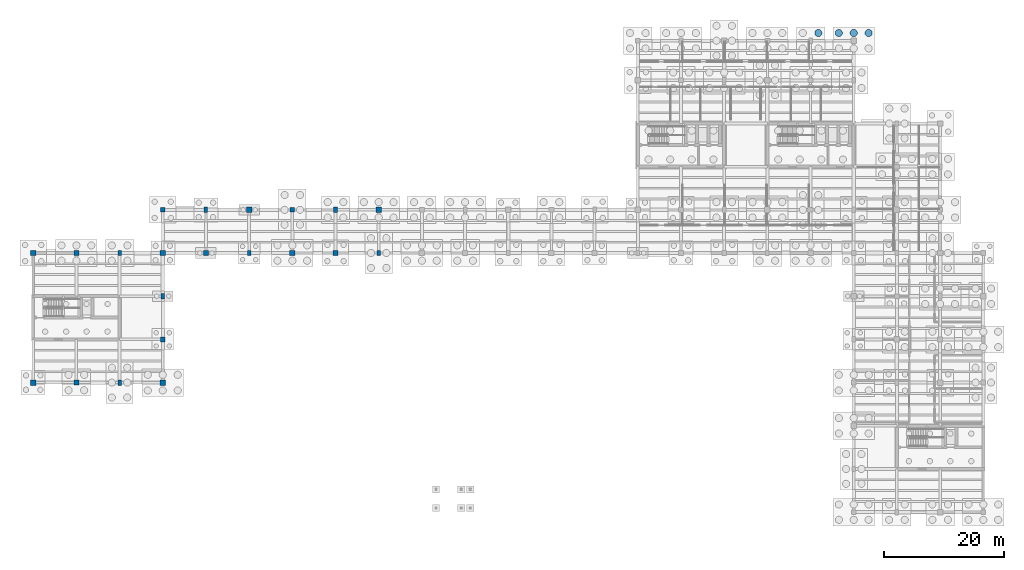
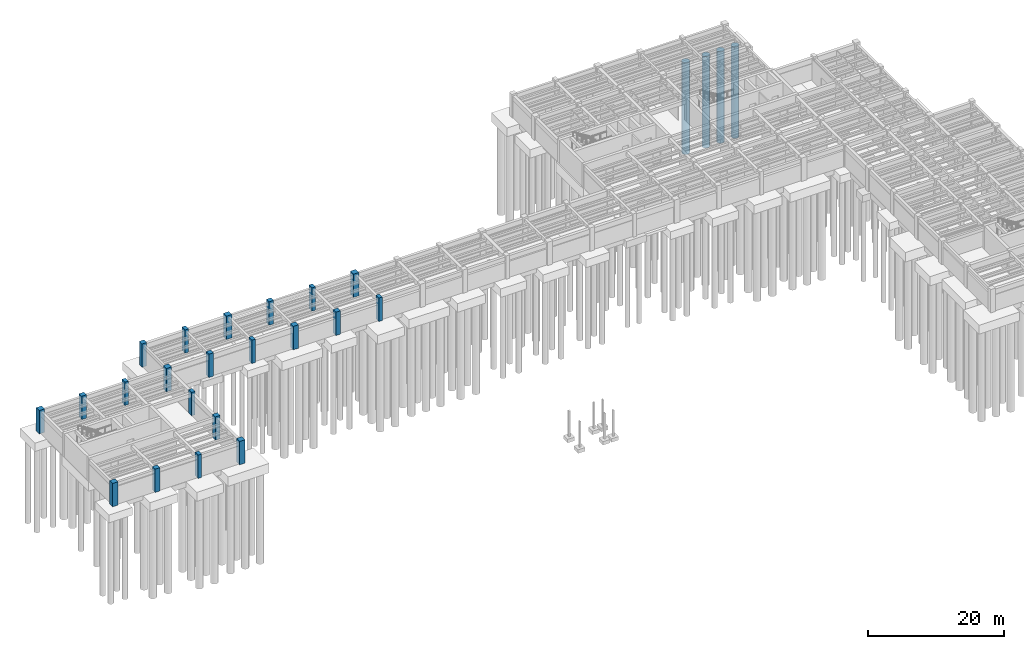
# One storey, part 5 of 22: 21 columns, 4 piles.
"""IFC4 building model written with IfcOpenShell, lengths in metres."""

from ifc_helpers import new_model, si_unit, direction, frame, origin, origin_2d, place, context, subcontext, project, spatial, rectangle, circle, extrude, material, material_profile, profile_set, type_object, element, save


model = new_model("IFC4")

# Units and contexts
model_context = context("Model", 3, precision=1e-05, world=origin(), true_north=direction((0.0, 1.0)))
body_context = subcontext(model_context, "Body", "Model", "MODEL_VIEW")
ifc_project = project(units=[si_unit("LENGTHUNIT", "METRE"), si_unit("AREAUNIT", "SQUARE_METRE"), si_unit("VOLUMEUNIT", "CUBIC_METRE"), si_unit("PLANEANGLEUNIT", "RADIAN"), si_unit("MASSUNIT", "GRAM", prefix="KILO")], contexts=[model_context])

# Site, building, storey
site_placement = place(None, origin())
site = spatial("IfcSite", under=ifc_project, at=site_placement, CompositionType="ELEMENT")
building_placement = place(site_placement, origin())
building = spatial("IfcBuilding", under=site, at=building_placement, Name="Mithqara Police Headquarters", CompositionType="ELEMENT")
storey_placement = place(building_placement, frame((0.0, 0.0, -8.39990234375)))
storey = spatial("IfcBuildingStorey", under=building, at=storey_placement, Name="B2", CompositionType="ELEMENT", Elevation=-8.39990234375)

# Piles
ifc_material_1 = material(Name="Concrete C40/50", Category="concrete")
ifc_material_profile_1 = material_profile(ifc_material_1, circle(Radius=0.60009765625, at=origin_2d()), Name="PILE D1200")
ifc_profile_set_1 = profile_set([ifc_material_profile_1], Name="Concrete C40/50")
pile_type = type_object("IfcPileType", Name="PILE D1200 16M", PredefinedType="BORED", material=ifc_profile_set_1)
for number, where, z_axis, x_axis, name in (
    (1, (138.699951171875, 115.280029296875, -1.400146484375), (0.0, 0.0, -1.0), (1.0, 0.0, 0.0), "Bored Pile 20/S-4"),
    (2, (142.1201171875, 115.280029296875, -1.4501953125), (0.0, 0.0, -1.0), (1.0, 0.0, 0.0), "Bored Pile 21/S-4"),
    (3, (144.60009765625, 115.280029296875, -1.4501953125), (0.0, 0.0, -1.0), (1.0, 0.0, 0.0), "Bored Pile 21/S-5"),
    (4, (147.080078125, 115.280029296875, -1.4501953125), (0.0, 0.0, -1.0), (1.0, 0.0, 0.0), "Bored Pile 21/S-6"),
):
    element("IfcPile", number, at=place(storey_placement, frame(where, z_axis=z_axis, x_axis=x_axis)), inside=storey, type_object=pile_type, Name=name, PredefinedType="BORED", context=body_context, shape_type="SweptSolid", body=[
        extrude(circle(Radius=0.60009765625, at=origin_2d()), origin(), (0.0, 0.0, 1.0), 16.449951171875),
    ])

# Columns
ifc_material_2 = material(Name="Concrete C50/60", Category="concrete")
ifc_material_profile_2 = material_profile(ifc_material_2, rectangle(XDim=0.60009765625, YDim=0.89990234375, at=origin_2d()), Name="RC 600x900")
ifc_profile_set_2 = profile_set([ifc_material_profile_2], Name="Concrete C50/60")
column_type_1 = type_object("IfcColumnType", Name="COLUMN RC600X900", PredefinedType="COLUMN", material=ifc_profile_set_2)
for number, where, z_axis, x_axis, name in (
    (5, (22.199951171875, 57.0, 0.0), (0.0, 0.0, 1.0), (1.0, 0.0, 0.0), "B2 Column 4/J"),
    (6, (22.199951171875, 78.60009765625, 0.0), (0.0, 0.0, 1.0), (1.0, 0.0, 0.0), "B2 Column 4/M"),
    (7, (29.39990234375, 71.39990234375, 0.0), (0.0, 0.0, 1.0), (1.0, 0.0, 0.0), "B2 Column 5/L"),
    (8, (36.60009765625, 85.800048828125, 0.0), (0.0, 0.0, 1.0), (1.0, 0.0, 0.0), "B2 Column 6/N"),
    (9, (43.800048828125, 78.60009765625, 0.0), (0.0, 0.0, 1.0), (1.0, 0.0, 0.0), "B2 Column 7/M"),
    (10, (58.199951171875, 85.800048828125, 0.0), (0.0, 0.0, 1.0), (1.0, 0.0, 0.0), "B2 Column 9/N"),
    (11, (65.39990234375, 78.60009765625, 0.0), (0.0, 0.0, 1.0), (1.0, 0.0, 0.0), "B2 Column 10/M"),
):
    element("IfcColumn", number, at=place(storey_placement, frame(where, z_axis=z_axis, x_axis=x_axis)), inside=storey, type_object=column_type_1, Name=name, PredefinedType="COLUMN", context=body_context, shape_type="SweptSolid", body=[
        extrude(rectangle(XDim=0.60009765625, YDim=0.89990234375, at=origin_2d()), origin(), (0.0, 0.0, 1.0), 4.199951171875),
    ])
ifc_material_profile_3 = material_profile(ifc_material_2, rectangle(XDim=0.800048828125, YDim=0.800048828125, at=origin_2d()), Name="RC 800x800")
ifc_profile_set_3 = profile_set([ifc_material_profile_3], Name="Concrete C50/60")
column_type_2 = type_object("IfcColumnType", Name="COLUMN RC800", PredefinedType="COLUMN", material=ifc_profile_set_3)
for number, where, z_axis, x_axis, name in (
    (12, (15.0, 57.0, 0.0), (0.0, 0.0, 1.0), (1.0, 0.0, 0.0), "B2 Column 3/J"),
    (13, (15.0, 78.60009765625, 0.0), (0.0, 0.0, 1.0), (1.0, 0.0, 0.0), "B2 Column 3/M"),
    (14, (29.39990234375, 64.199951171875, 0.0), (0.0, 0.0, 1.0), (1.0, 0.0, 0.0), "B2 Column 5/K"),
    (15, (29.39990234375, 85.800048828125, 0.0), (0.0, 0.0, 1.0), (1.0, 0.0, 0.0), "B2 Column 5/N"),
    (16, (36.60009765625, 78.60009765625, 0.0), (0.0, 0.0, 1.0), (1.0, 0.0, 0.0), "B2 Column 6/M"),
    (17, (51.0, 85.800048828125, 0.0), (0.0, 0.0, 1.0), (1.0, 0.0, 0.0), "B2 Column 8/N"),
    (18, (58.199951171875, 78.60009765625, 0.0), (0.0, 0.0, 1.0), (1.0, 0.0, 0.0), "B2 Column 9/M"),
):
    element("IfcColumn", number, at=place(storey_placement, frame(where, z_axis=z_axis, x_axis=x_axis)), inside=storey, type_object=column_type_2, Name=name, PredefinedType="COLUMN", context=body_context, shape_type="SweptSolid", body=[
        extrude(rectangle(XDim=0.800048828125, YDim=0.800048828125, at=origin_2d()), origin(), (0.0, 0.0, 1.0), 4.199951171875),
    ])
ifc_material_profile_4 = material_profile(ifc_material_2, rectangle(XDim=0.89990234375, YDim=0.89990234375, at=origin_2d()), Name="RC 900x900")
ifc_profile_set_4 = profile_set([ifc_material_profile_4], Name="Concrete C50/60")
column_type_3 = type_object("IfcColumnType", Name="COLUMN RC900", PredefinedType="COLUMN", material=ifc_profile_set_4)
for number, where, z_axis, x_axis, name in (
    (19, (7.800048828125, 57.0, 0.0), (0.0, 0.0, 1.0), (1.0, 0.0, 0.0), "B2 Column 2/J"),
    (20, (7.800048828125, 78.60009765625, 0.0), (0.0, 0.0, 1.0), (1.0, 0.0, 0.0), "B2 Column 2/M"),
    (21, (29.39990234375, 57.0, 0.0), (0.0, 0.0, 1.0), (1.0, 0.0, 0.0), "B2 Column 5/J"),
    (22, (29.39990234375, 78.60009765625, 0.0), (0.0, 0.0, 1.0), (1.0, 0.0, 0.0), "B2 Column 5/M"),
    (23, (43.800048828125, 85.800048828125, 0.0), (0.0, 0.0, 1.0), (1.0, 0.0, 0.0), "B2 Column 7/N"),
    (24, (51.0, 78.60009765625, 0.0), (0.0, 0.0, 1.0), (1.0, 0.0, 0.0), "B2 Column 8/M"),
    (25, (65.39990234375, 85.800048828125, 0.0), (0.0, 0.0, 1.0), (1.0, 0.0, 0.0), "B2 Column 10/N"),
):
    element("IfcColumn", number, at=place(storey_placement, frame(where, z_axis=z_axis, x_axis=x_axis)), inside=storey, type_object=column_type_3, Name=name, PredefinedType="COLUMN", context=body_context, shape_type="SweptSolid", body=[
        extrude(rectangle(XDim=0.89990234375, YDim=0.89990234375, at=origin_2d()), origin(), (0.0, 0.0, 1.0), 4.199951171875),
    ])

save(model, "model.ifc")
